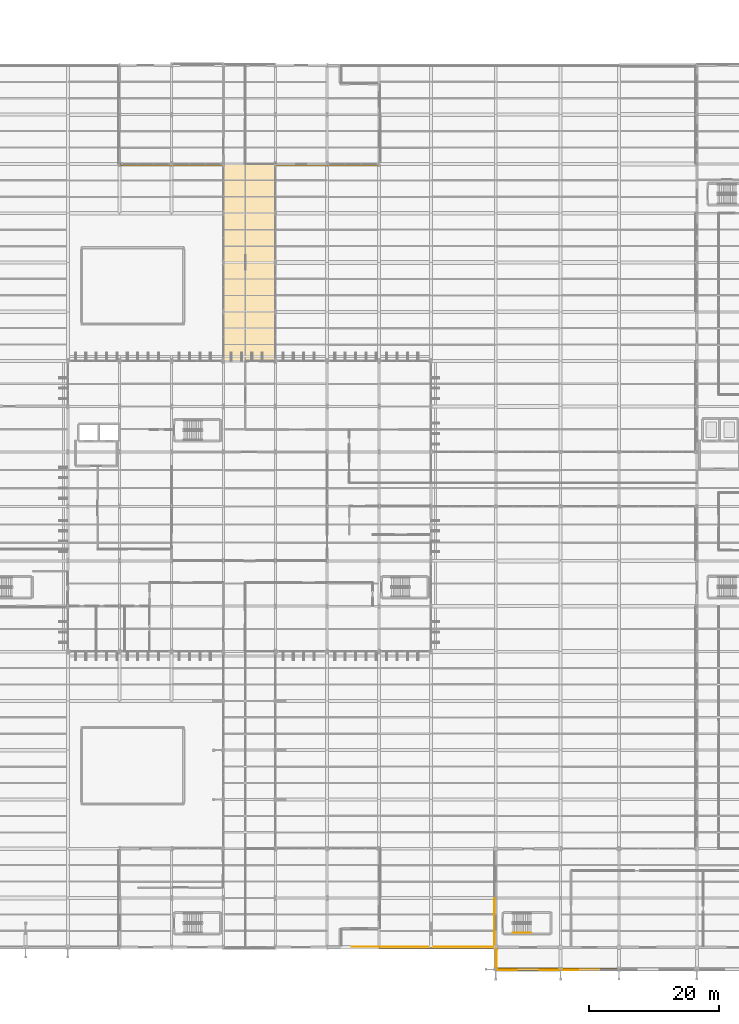
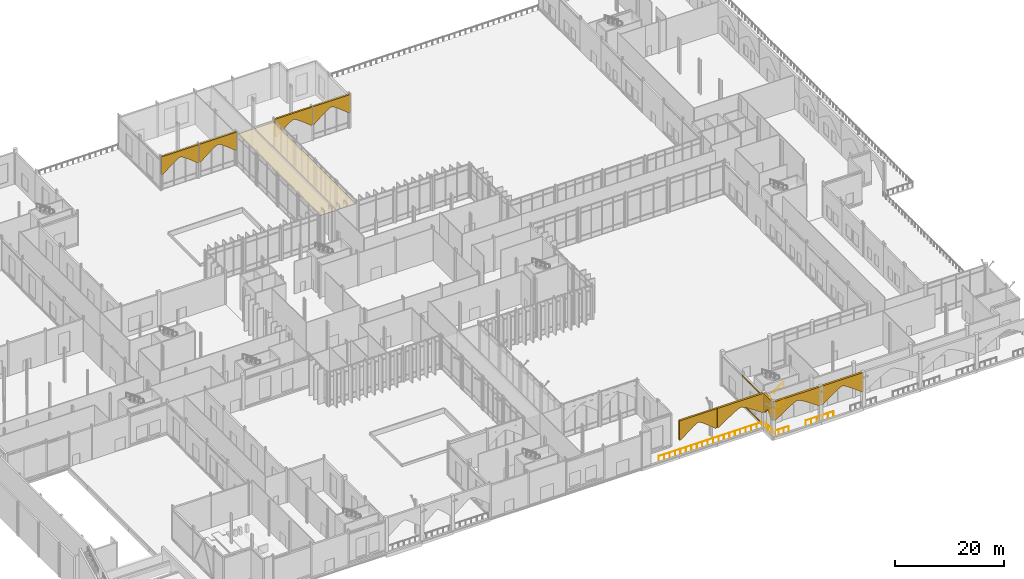
# One storey, part 167 of 176: 12 coverings, 5 railings.
"""IFC4 building model written with IfcOpenShell, lengths in metres."""

import ifcopenshell
import ifcopenshell.guid

model = None  # the IFC model being written
_history = None  # IfcOwnerHistory: only IFC2X3 demands one
_inside = {}  # id of a spatial element -> (the spatial element, [elements in it])
_under = {}  # id of a project, library or spatial element -> (it, [spatial elements below it])
_declared = {}  # id of a project -> (the project, [libraries it declares])
_typed = {}  # id of a type object -> (the type object, [elements of that type])
_made_of = {}  # id of a material, layer set ... -> (it, [elements and type objects made of it])


def new_model(schema):
    """Start an empty IFC model of exactly this schema.

    Asked for "IFC4X3", IfcOpenShell would pick the latest addendum, in which some entities
    have other attributes; the version numbers below select the first issue.
    IFC2X3 requires an IfcOwnerHistory on every rooted entity: one is made here for all.
    """
    global model, _history
    if schema == "IFC4X3":
        model = ifcopenshell.file(schema_version=(4, 3, 0, 0))
    else:
        model = ifcopenshell.file(schema=schema)
    _inside.clear()
    _under.clear()
    _declared.clear()
    _typed.clear()
    _made_of.clear()
    _history = None
    if model.schema == "IFC2X3":
        org = make("IfcOrganization", Name="unknown")
        user = make(
            "IfcPersonAndOrganization",
            ThePerson=make("IfcPerson", FamilyName="unknown"),
            TheOrganization=org,
        )
        app = make(
            "IfcApplication",
            ApplicationDeveloper=org,
            Version="unknown",
            ApplicationFullName="unknown",
            ApplicationIdentifier="unknown",
        )
        _history = make(
            "IfcOwnerHistory",
            OwningUser=user,
            OwningApplication=app,
            ChangeAction="ADDED",
            CreationDate=0,
        )
    return model


def make(cls, **values):
    """One entity of the class cls with the attributes given. An attribute that is None is left unset."""
    return model.create_entity(
        cls, **{name: value for name, value in values.items() if value is not None}
    )


def rooted(cls, **values):
    """An entity with a GlobalId (a new one), such as an element, a storey or a relation."""
    return make(cls, GlobalId=ifcopenshell.guid.new(), OwnerHistory=_history, **values)


def si_unit(unit_type, name, prefix=None):
    """IfcSIUnit, for example si_unit("LENGTHUNIT", "METRE", prefix="MILLI")."""
    return make("IfcSIUnit", UnitType=unit_type, Prefix=prefix, Name=name)


def assignment(units):
    """IfcUnitAssignment: the units of a project."""
    return None if units is None else make("IfcUnitAssignment", Units=units)


def point(xyz):
    """IfcCartesianPoint."""
    return None if xyz is None else make("IfcCartesianPoint", Coordinates=xyz)


def direction(xyz):
    """IfcDirection."""
    return None if xyz is None else make("IfcDirection", DirectionRatios=xyz)


def frame(location, z_axis=None, x_axis=None):
    """IfcAxis2Placement3D, a coordinate frame: its origin and axes. An axis left out is left unset."""
    return make(
        "IfcAxis2Placement3D",
        Location=point(location),
        Axis=direction(z_axis),
        RefDirection=direction(x_axis),
    )


def frame_2d(location, x_axis=None):
    """IfcAxis2Placement2D, a coordinate frame in the plane: its origin and x axis."""
    return make(
        "IfcAxis2Placement2D", Location=point(location), RefDirection=direction(x_axis)
    )


def origin():
    """The frame at (0, 0, 0) with its axes left unset."""
    return frame((0.0, 0.0, 0.0))


def origin_2d():
    """The frame at (0, 0) in the plane with its x axis left unset."""
    return frame_2d((0.0, 0.0))


def place(relative_to, where):
    """IfcLocalPlacement: puts the frame where relative to a parent placement (None: the world)."""
    return make(
        "IfcLocalPlacement", PlacementRelTo=relative_to, RelativePlacement=where
    )


def context(
    kind, dimensions, precision=None, world=None, true_north=None, identifier=None
):
    """IfcGeometricRepresentationContext, for example the 3D "Model" context."""
    return make(
        "IfcGeometricRepresentationContext",
        ContextIdentifier=identifier,
        ContextType=kind,
        CoordinateSpaceDimension=dimensions,
        Precision=precision,
        WorldCoordinateSystem=world,
        TrueNorth=true_north,
    )


def subcontext(parent, identifier, kind, view, scale=None):
    """IfcGeometricRepresentationSubContext, for example "Body" below "Model"."""
    return make(
        "IfcGeometricRepresentationSubContext",
        ContextIdentifier=identifier,
        ContextType=kind,
        ParentContext=parent,
        TargetScale=scale,
        TargetView=view,
    )


def project(units=None, contexts=None):
    """IfcProject with its units and contexts."""
    return rooted(
        "IfcProject",
        Name="project",
        RepresentationContexts=contexts,
        UnitsInContext=assignment(units),
    )


def spatial(cls, under=None, at=None, **own):
    """A site, building, storey or space (cls), placed at a placement, below another one or the project."""
    s = rooted(cls, ObjectPlacement=at, **own)
    if under is not None:
        _under.setdefault(under.id(), (under, []))[1].append(s)
    return s


def polyline(points):
    """IfcPolyline through the points."""
    return make("IfcPolyline", Points=[point(p) for p in points])


def profile(cls, at=None, kind="AREA", **sizes):
    """A parametric profile (cls). Its sizes go by their IFC names, for example OverallWidth=200.0."""
    return make(cls, ProfileType=kind, Position=at, **sizes)


def rectangle(**sizes):
    """IfcRectangleProfileDef."""
    return profile("IfcRectangleProfileDef", **sizes)


def circle(**sizes):
    """IfcCircleProfileDef."""
    return profile("IfcCircleProfileDef", **sizes)


def outline(outer, holes=None, kind="AREA"):
    """IfcArbitraryClosedProfileDef: a profile drawn as a closed curve; with holes, ...WithVoids."""
    if holes is None:
        return make("IfcArbitraryClosedProfileDef", ProfileType=kind, OuterCurve=outer)
    return make(
        "IfcArbitraryProfileDefWithVoids",
        ProfileType=kind,
        OuterCurve=outer,
        InnerCurves=holes,
    )


def extrude(swept, where, along, depth):
    """IfcExtrudedAreaSolid: the profile swept, set in the frame where, extruded along a direction by depth."""
    return make(
        "IfcExtrudedAreaSolid",
        SweptArea=swept,
        Position=where,
        ExtrudedDirection=direction(along),
        Depth=depth,
    )


def shape(context_of_items, identifier, shape_type, items):
    """IfcShapeRepresentation: the items that make up one representation, for example the "Body"."""
    return make(
        "IfcShapeRepresentation",
        ContextOfItems=context_of_items,
        RepresentationIdentifier=identifier,
        RepresentationType=shape_type,
        Items=items,
    )


def material(Name=None, Category=None):
    """IfcMaterial."""
    return make("IfcMaterial", Name=Name, Category=Category)


def layer(
    of_material, thickness, ventilated=None, Name=None, Category=None, Priority=None
):
    """IfcMaterialLayer: one layer of a wall or slab, of a material (None: an air gap)."""
    return make(
        "IfcMaterialLayer",
        Material=of_material,
        LayerThickness=thickness,
        IsVentilated=ventilated,
        Name=Name,
        Category=Category,
        Priority=Priority,
    )


def layer_set(layers, Name=None):
    """IfcMaterialLayerSet."""
    return make("IfcMaterialLayerSet", MaterialLayers=layers, LayerSetName=Name)


def made_of(thing, what):
    """Note that an element or type object is made of a material, layer set ...; save() writes the relation."""
    if what is not None:
        _made_of.setdefault(what.id(), (what, []))[1].append(thing)
    return thing


def type_object(cls, material=None, **own):
    """A type object (cls), such as IfcWallType, which elements share."""
    return made_of(rooted(cls, **own), material)


def element(
    cls,
    number,
    at=None,
    inside=None,
    cuts=None,
    type_object=None,
    material=None,
    context=None,
    identifier="Body",
    shape_type=None,
    held_by="IfcProductDefinitionShape",
    body=None,
    shapes=None,
    **own,
):
    """One element of the class cls, such as IfcWall. Its Tag is "e" and its number.

    at: its placement. inside: the storey or other place that contains it. cuts: it is an
    opening in that element (IfcRelVoidsElement). A single representation is given by context,
    identifier, shape_type and body (its items); several are given by shapes. held_by: the class
    of the entity that holds the representations. save() writes the other relations.
    """
    e = rooted(cls, Tag="e%d" % number, ObjectPlacement=at, **own)
    if body is not None:
        shapes = [shape(context, identifier, shape_type, body)]
    if shapes is not None:
        e.Representation = make(held_by, Representations=shapes)
    if inside is not None:
        _inside.setdefault(inside.id(), (inside, []))[1].append(e)
    if cuts is not None:
        rooted(
            "IfcRelVoidsElement", RelatingBuildingElement=cuts, RelatedOpeningElement=e
        )
    if type_object is not None:
        _typed.setdefault(type_object.id(), (type_object, []))[1].append(e)
    return made_of(e, material)


def aggregate(whole, parts):
    """IfcRelAggregates: a whole, such as a stair, and the parts it consists of."""
    return rooted("IfcRelAggregates", RelatingObject=whole, RelatedObjects=parts)


def save(model, path):
    """Write the relations noted so far, then the file.

    IfcRelAggregates (storeys below a building ...), IfcRelContainedInSpatialStructure (elements
    in a storey), IfcRelDefinesByType, IfcRelAssociatesMaterial and IfcRelDeclares: one each for
    every whole, place, type object, material and project.
    """
    for whole, parts in _under.values():
        aggregate(whole, parts)
    for where, things in _inside.values():
        rooted(
            "IfcRelContainedInSpatialStructure",
            RelatedElements=things,
            RelatingStructure=where,
        )
    for kind, things in _typed.values():
        rooted("IfcRelDefinesByType", RelatedObjects=things, RelatingType=kind)
    for what, things in _made_of.values():
        rooted("IfcRelAssociatesMaterial", RelatedObjects=things, RelatingMaterial=what)
    for by, libraries in _declared.values():
        rooted("IfcRelDeclares", RelatingContext=by, RelatedDefinitions=libraries)
    model.write(path)


model = new_model("IFC4")

# Units and contexts
model_context = context("Model", 3, precision=1e-05, world=origin(), true_north=direction((0.0, 1.0)))
body_context = subcontext(model_context, "Body", "Model", "MODEL_VIEW")
ifc_project = project(units=[si_unit("LENGTHUNIT", "METRE"), si_unit("AREAUNIT", "SQUARE_METRE"), si_unit("VOLUMEUNIT", "CUBIC_METRE"), si_unit("PLANEANGLEUNIT", "RADIAN"), si_unit("MASSUNIT", "GRAM", prefix="KILO")], contexts=[model_context])

# Site, building, storey
site_placement = place(None, origin())
site = spatial("IfcSite", under=ifc_project, at=site_placement, CompositionType="ELEMENT")
building_placement = place(site_placement, origin())
building = spatial("IfcBuilding", under=site, at=building_placement, Name="Vekula Escarpment Museum", CompositionType="ELEMENT")
storey_placement = place(building_placement, origin())
storey = spatial("IfcBuildingStorey", under=building, at=storey_placement, Name="L01", CompositionType="ELEMENT", Elevation=0.0)

# Coverings
ifc_material_1 = material(Name="Polychrome limestone almasik string-course band", Category="masonry")
ifc_layer_1 = layer(ifc_material_1, 0.06005859375)
ifc_layer_set_1 = layer_set([ifc_layer_1], Name="Polychrome limestone almasik string-course band")
covering_type_1 = type_object("IfcCoveringType", Name="COV-ALM-BAND", PredefinedType="CLADDING", material=ifc_layer_set_1)
for number, where, z_axis, x_axis, name in (
    (1, (135.799072265625, 3.800048828125, 0.41015625), (0.0, 0.0, 1.0), (0.0, 1.0, 0.0), "Almasik Stone String Course L01-0019"),
    (2, (135.799072265625, 3.800048828125, 6.69482421875), (0.0, 0.0, 1.0), (0.0, 1.0, 0.0), "Almasik Stone String Course L01-0020"),
):
    element("IfcCovering", number, at=place(storey_placement, frame(where, z_axis=z_axis, x_axis=x_axis)), inside=storey, type_object=covering_type_1, Name=name, PredefinedType="CLADDING", context=body_context, shape_type="SweptSolid", body=[
        extrude(rectangle(XDim=7.47998046875, YDim=0.06005859375, at=origin_2d()), origin(), (0.0, 0.0, 1.0), 0.219970703125),
    ])
ifc_material_2 = material(Name="Mineral-fibre museum baffle ceiling", Category="gypsum")
ifc_layer_2 = layer(ifc_material_2, 0.070068359375)
ifc_layer_set_2 = layer_set([ifc_layer_2], Name="Mineral-fibre museum baffle ceiling")
covering_type_2 = type_object("IfcCoveringType", Name="COV-CEIL-BAFF", PredefinedType="CEILING", material=ifc_layer_set_2)
covering_1_placement = place(storey_placement, frame((0.0, 0.0, 6.85009765625)))
element("IfcCovering", 3, at=covering_1_placement, inside=storey, type_object=covering_type_2, Name="Acoustic Gallery Ceiling L01-003", PredefinedType="CEILING", context=body_context, shape_type="SweptSolid", body=[
    extrude(outline(polyline([(94.10009765625, 90.5), (101.89990234375, 90.5), (101.89990234375, 120.699951171875), (94.10009765625, 120.699951171875), (94.10009765625, 90.5)])), origin(), (0.0, 0.0, 1.0), 0.0498046875),
])
ifc_material_3 = material(Name="Carved limestone revak pointed-arch cladding", Category="masonry")
ifc_layer_3 = layer(ifc_material_3, 0.3798828125)
ifc_layer_set_3 = layer_set([ifc_layer_3], Name="Carved limestone revak pointed-arch cladding")
covering_type_3 = type_object("IfcCoveringType", Name="COV-REVAK-ARCH", PredefinedType="CLADDING", material=ifc_layer_set_3)
covering_2_placement = place(storey_placement, frame((141.0, -3.18994140625, 3.39990234375), z_axis=(0.0, -1.0, 0.0), x_axis=(1.0, 0.0, 0.0)))
element("IfcCovering", 4, at=covering_2_placement, inside=storey, type_object=covering_type_3, Name="Ottoman Pointed-Arch Revak Spandrel S-PORT-1", PredefinedType="CLADDING", context=body_context, shape_type="SweptSolid", body=[
    extrude(outline(polyline([(-4.97998046875, 4.219970703125), (4.97998046875, 4.219970703125), (4.97998046875, 0.0), (4.639892578125, 0.0), (3.72802734375, 0.63427734375), (2.85009765625, 1.236572265625), (2.03857421875, 1.77685546875), (1.323486328125, 2.228271484375), (0.731689453125, 2.56787109375), (0.28515625, 2.778564453125), (0.0, 2.85009765625), (-0.28515625, 2.778564453125), (-0.731689453125, 2.56787109375), (-1.323486328125, 2.228271484375), (-2.03857421875, 1.77685546875), (-2.85009765625, 1.236572265625), (-3.72802734375, 0.63427734375), (-4.639892578125, 0.0), (-4.97998046875, 0.0), (-4.97998046875, 4.219970703125)])), origin(), (0.0, 0.0, 1.0), 0.420166015625),
])
covering_3_placement = place(storey_placement, frame((150.5, -3.18994140625, 3.39990234375), z_axis=(0.0, -1.0, 0.0), x_axis=(1.0, 0.0, 0.0)))
element("IfcCovering", 5, at=covering_3_placement, inside=storey, type_object=covering_type_3, Name="Ottoman Pointed-Arch Revak Spandrel S-PORT-2", PredefinedType="CLADDING", context=body_context, shape_type="SweptSolid", body=[
    extrude(outline(polyline([(-4.47998046875, 4.219970703125), (4.47998046875, 4.219970703125), (4.47998046875, 0.0), (4.139892578125, 0.0), (3.326416015625, 0.61181640625), (2.54296875, 1.193115234375), (1.81884765625, 1.714599609375), (1.180908203125, 2.14990234375), (0.65283203125, 2.477783203125), (0.25439453125, 2.68115234375), (0.0, 2.75), (-0.25439453125, 2.68115234375), (-0.65283203125, 2.477783203125), (-1.180908203125, 2.14990234375), (-1.81884765625, 1.714599609375), (-2.54296875, 1.193115234375), (-3.326416015625, 0.61181640625), (-4.139892578125, 0.0), (-4.47998046875, 0.0), (-4.47998046875, 4.219970703125)])), origin(), (0.0, 0.0, 1.0), 0.420166015625),
])
covering_4_placement = place(storey_placement, frame((135.7900390625, -1.72509765625, 3.39990234375), z_axis=(1.0, 0.0, 0.0), x_axis=(0.0, 1.0, 0.0)))
element("IfcCovering", 6, at=covering_4_placement, inside=storey, type_object=covering_type_3, Name="Ottoman Pointed-Arch Revak Spandrel S-PORT-W", PredefinedType="CLADDING", context=body_context, shape_type="SweptSolid", body=[
    extrude(outline(polyline([(-1.655029296875, 4.219970703125), (1.655029296875, 4.219970703125), (1.655029296875, 0.0), (1.31494140625, 0.0), (1.056640625, 0.32275390625), (0.8076171875, 0.629150390625), (0.57763671875, 0.904052734375), (0.375, 1.1337890625), (0.20751953125, 1.306396484375), (0.080810546875, 1.41357421875), (0.0, 1.449951171875), (-0.080810546875, 1.41357421875), (-0.20751953125, 1.306396484375), (-0.375, 1.1337890625), (-0.57763671875, 0.904052734375), (-0.8076171875, 0.629150390625), (-1.056640625, 0.32275390625), (-1.31494140625, 0.0), (-1.655029296875, 0.0), (-1.655029296875, 4.219970703125)])), origin(), (0.0, 0.0, 1.0), 0.419921875),
])
covering_5_placement = place(storey_placement, frame((122.0, 0.199951171875, 3.300048828125), z_axis=(0.0, -1.0, 0.0), x_axis=(1.0, 0.0, 0.0)))
element("IfcCovering", 7, at=covering_5_placement, inside=storey, type_object=covering_type_3, Name="Ottoman Pointed-Arch Revak Spandrel S-FORE-4", PredefinedType="CLADDING", context=body_context, shape_type="SweptSolid", body=[
    extrude(outline(polyline([(-3.97998046875, 4.320068359375), (3.97998046875, 4.320068359375), (3.97998046875, 0.0), (3.639892578125, 0.0), (2.9248046875, 0.589599609375), (2.23583984375, 1.14990234375), (1.59912109375, 1.652099609375), (1.038330078125, 2.072021484375), (0.57421875, 2.3876953125), (0.2236328125, 2.58349609375), (0.0, 2.64990234375), (-0.2236328125, 2.58349609375), (-0.57421875, 2.3876953125), (-1.038330078125, 2.072021484375), (-1.59912109375, 1.652099609375), (-2.23583984375, 1.14990234375), (-2.9248046875, 0.589599609375), (-3.639892578125, 0.0), (-3.97998046875, 0.0), (-3.97998046875, 4.320068359375)])), origin(), (0.0, 0.0, 1.0), 0.39990234375),
])
covering_6_placement = place(storey_placement, frame((131.0, 0.199951171875, 3.300048828125), z_axis=(0.0, -1.0, 0.0), x_axis=(1.0, 0.0, 0.0)))
element("IfcCovering", 8, at=covering_6_placement, inside=storey, type_object=covering_type_3, Name="Ottoman Pointed-Arch Revak Spandrel S-FORE-5", PredefinedType="CLADDING", context=body_context, shape_type="SweptSolid", body=[
    extrude(outline(polyline([(-4.97998046875, 4.320068359375), (4.97998046875, 4.320068359375), (4.97998046875, 0.0), (4.639892578125, 0.0), (3.72802734375, 0.63427734375), (2.85009765625, 1.236572265625), (2.03857421875, 1.77685546875), (1.323486328125, 2.228271484375), (0.731689453125, 2.56787109375), (0.28515625, 2.778564453125), (0.0, 2.85009765625), (-0.28515625, 2.778564453125), (-0.731689453125, 2.56787109375), (-1.323486328125, 2.228271484375), (-2.03857421875, 1.77685546875), (-2.85009765625, 1.236572265625), (-3.72802734375, 0.63427734375), (-4.639892578125, 0.0), (-4.97998046875, 0.0), (-4.97998046875, 4.320068359375)])), origin(), (0.0, 0.0, 1.0), 0.39990234375),
])
for number, where, z_axis, x_axis, name in (
    (9, (82.0, 120.860107421875, 3.550048828125), (0.0, -1.0, 0.0), (1.0, 0.0, 0.0), "Ottoman Pointed-Arch Revak Spandrel AVLU-N-1"),
    (10, (90.0, 120.860107421875, 3.550048828125), (0.0, -1.0, 0.0), (1.0, 0.0, 0.0), "Ottoman Pointed-Arch Revak Spandrel AVLU-N-2"),
    (11, (106.0, 120.860107421875, 3.550048828125), (0.0, -1.0, 0.0), (1.0, 0.0, 0.0), "Ottoman Pointed-Arch Revak Spandrel AVLU-N-3"),
    (12, (114.0, 120.860107421875, 3.550048828125), (0.0, -1.0, 0.0), (1.0, 0.0, 0.0), "Ottoman Pointed-Arch Revak Spandrel AVLU-N-4"),
):
    element("IfcCovering", number, at=place(storey_placement, frame(where, z_axis=z_axis, x_axis=x_axis)), inside=storey, type_object=covering_type_3, Name=name, PredefinedType="CLADDING", context=body_context, shape_type="SweptSolid", body=[
        extrude(outline(polyline([(-3.97998046875, 4.0), (3.97998046875, 4.0), (3.97998046875, 0.0), (3.639892578125, 0.0), (2.9248046875, 0.57861328125), (2.23583984375, 1.128173828125), (1.59912109375, 1.62109375), (1.038330078125, 2.03271484375), (0.57421875, 2.342529296875), (0.2236328125, 2.534912109375), (0.0, 2.60009765625), (-0.2236328125, 2.534912109375), (-0.57421875, 2.342529296875), (-1.038330078125, 2.03271484375), (-1.59912109375, 1.62109375), (-2.23583984375, 1.128173828125), (-2.9248046875, 0.57861328125), (-3.639892578125, 0.0), (-3.97998046875, 0.0), (-3.97998046875, 4.0)])), origin(), (0.0, 0.0, 1.0), 0.360107421875),
    ])

# Railings
ifc_material_4 = material(Name="Brushed stainless steel handrail", Category="steel")
railing_type_1 = type_object("IfcRailingType", Name="RL-STAIR-HAND", PredefinedType="HANDRAIL", material=ifc_material_4)
for number, where, name in (
    (13, (138.6201171875, 2.25, 0.17724609375), "L01 ST-06 stair handrail 1"),
    (14, (138.6201171875, 2.25, 4.077392578125), "L01 ST-06 stair handrail 3"),
):
    element("IfcRailing", number, at=place(storey_placement, frame(where)), inside=storey, type_object=railing_type_1, Name=name, PredefinedType="HANDRAIL", context=body_context, shape_type="SweptSolid", body=[
        extrude(circle(Radius=0.02392578125, at=origin_2d()), frame((0.0, 0.0, 0.8759765625), z_axis=(0.844887892834, 0.0, 0.53494340686), x_axis=(0.0, 1.0, 0.0)), (0.0, 0.0, 1.0), 3.313720703125),
        extrude(circle(Radius=0.02099609375, at=origin_2d()), origin(), (0.0, 0.0, 1.0), 0.851806640625),
        extrude(circle(Radius=0.02099609375, at=origin_2d()), frame((0.933349609375, 0.0, 0.5908203125)), (0.0, 0.0, 1.0), 0.851806640625),
        extrude(circle(Radius=0.02099609375, at=origin_2d()), frame((1.866455078125, 0.0, 1.181884765625)), (0.0, 0.0, 1.0), 0.851806640625),
        extrude(circle(Radius=0.02099609375, at=origin_2d()), frame((2.7998046875, 0.0, 1.772705078125)), (0.0, 0.0, 1.0), 0.851806640625),
    ])
ifc_material_5 = material(Name="Bronze-coated Steel S355 balustrade", Category="steel")
railing_type_2 = type_object("IfcRailingType", Name="RL-TER-GUARD", PredefinedType="GUARDRAIL", material=ifc_material_5)
railing_1_placement = place(storey_placement, frame((135.6650390625, 0.090087890625, 0.0)))
element("IfcRailing", 15, at=railing_1_placement, inside=storey, type_object=railing_type_2, Name="Terrace Balustrade L01-007", PredefinedType="GUARDRAIL", context=body_context, shape_type="SweptSolid", body=[
    extrude(circle(Radius=0.02392578125, at=origin_2d()), frame((0.0, 0.0, 1.076171875), z_axis=(-1.0, 0.0, 0.0), x_axis=(0.0, -1.0, 0.0)), (0.0, 0.0, 1.0), 21.864990234375),
    extrude(circle(Radius=0.02099609375, at=origin_2d()), origin(), (0.0, 0.0, 1.0), 1.052001953125),
    extrude(circle(Radius=0.02099609375, at=origin_2d()), frame((-1.15087890625, 0.0, 0.0)), (0.0, 0.0, 1.0), 1.052001953125),
    extrude(circle(Radius=0.02099609375, at=origin_2d()), frame((-2.301513671875, 0.0, 0.0)), (0.0, 0.0, 1.0), 1.052001953125),
    extrude(circle(Radius=0.02099609375, at=origin_2d()), frame((-3.452392578125, 0.0, 0.0)), (0.0, 0.0, 1.0), 1.052001953125),
    extrude(circle(Radius=0.02099609375, at=origin_2d()), frame((-4.603271484375, 0.0, 0.0)), (0.0, 0.0, 1.0), 1.052001953125),
    extrude(circle(Radius=0.02099609375, at=origin_2d()), frame((-5.75390625, 0.0, 0.0)), (0.0, 0.0, 1.0), 1.052001953125),
    extrude(circle(Radius=0.02099609375, at=origin_2d()), frame((-6.90478515625, 0.0, 0.0)), (0.0, 0.0, 1.0), 1.052001953125),
    extrude(circle(Radius=0.02099609375, at=origin_2d()), frame((-8.055419921875, 0.0, 0.0)), (0.0, 0.0, 1.0), 1.052001953125),
    extrude(circle(Radius=0.02099609375, at=origin_2d()), frame((-9.206298828125, 0.0, 0.0)), (0.0, 0.0, 1.0), 1.052001953125),
    extrude(circle(Radius=0.02099609375, at=origin_2d()), frame((-10.357177734375, 0.0, 0.0)), (0.0, 0.0, 1.0), 1.052001953125),
    extrude(circle(Radius=0.02099609375, at=origin_2d()), frame((-11.5078125, 0.0, 0.0)), (0.0, 0.0, 1.0), 1.052001953125),
    extrude(circle(Radius=0.02099609375, at=origin_2d()), frame((-12.65869140625, 0.0, 0.0)), (0.0, 0.0, 1.0), 1.052001953125),
    extrude(circle(Radius=0.02099609375, at=origin_2d()), frame((-13.8095703125, 0.0, 0.0)), (0.0, 0.0, 1.0), 1.052001953125),
    extrude(circle(Radius=0.02099609375, at=origin_2d()), frame((-14.960205078125, 0.0, 0.0)), (0.0, 0.0, 1.0), 1.052001953125),
    extrude(circle(Radius=0.02099609375, at=origin_2d()), frame((-16.111083984375, 0.0, 0.0)), (0.0, 0.0, 1.0), 1.052001953125),
    extrude(circle(Radius=0.02099609375, at=origin_2d()), frame((-17.26171875, 0.0, 0.0)), (0.0, 0.0, 1.0), 1.052001953125),
    extrude(circle(Radius=0.02099609375, at=origin_2d()), frame((-18.41259765625, 0.0, 0.0)), (0.0, 0.0, 1.0), 1.052001953125),
    extrude(circle(Radius=0.02099609375, at=origin_2d()), frame((-19.5634765625, 0.0, 0.0)), (0.0, 0.0, 1.0), 1.052001953125),
    extrude(circle(Radius=0.02099609375, at=origin_2d()), frame((-20.714111328125, 0.0, 0.0)), (0.0, 0.0, 1.0), 1.052001953125),
    extrude(circle(Radius=0.02099609375, at=origin_2d()), frame((-21.864990234375, 0.0, 0.0)), (0.0, 0.0, 1.0), 1.052001953125),
])
railing_2_placement = place(storey_placement, frame((148.699951171875, -3.510009765625, 0.0)))
element("IfcRailing", 16, at=railing_2_placement, inside=storey, type_object=railing_type_2, Name="Terrace Balustrade L01-014", PredefinedType="GUARDRAIL", context=body_context, shape_type="SweptSolid", body=[
    extrude(circle(Radius=0.02392578125, at=origin_2d()), frame((0.0, 0.0, 1.076171875), z_axis=(-1.0, 0.0, 0.0), x_axis=(0.0, -1.0, 0.0)), (0.0, 0.0, 1.0), 5.89990234375),
    extrude(circle(Radius=0.02099609375, at=origin_2d()), origin(), (0.0, 0.0, 1.0), 1.052001953125),
    extrude(circle(Radius=0.02099609375, at=origin_2d()), frame((-1.179931640625, 0.0, 0.0)), (0.0, 0.0, 1.0), 1.052001953125),
    extrude(circle(Radius=0.02099609375, at=origin_2d()), frame((-2.35986328125, 0.0, 0.0)), (0.0, 0.0, 1.0), 1.052001953125),
    extrude(circle(Radius=0.02099609375, at=origin_2d()), frame((-3.5400390625, 0.0, 0.0)), (0.0, 0.0, 1.0), 1.052001953125),
    extrude(circle(Radius=0.02099609375, at=origin_2d()), frame((-4.719970703125, 0.0, 0.0)), (0.0, 0.0, 1.0), 1.052001953125),
    extrude(circle(Radius=0.02099609375, at=origin_2d()), frame((-5.89990234375, 0.0, 0.0)), (0.0, 0.0, 1.0), 1.052001953125),
])
railing_3_placement = place(storey_placement, frame((139.199951171875, -3.510009765625, 0.0)))
element("IfcRailing", 17, at=railing_3_placement, inside=storey, type_object=railing_type_2, Name="Terrace Balustrade L01-015", PredefinedType="GUARDRAIL", context=body_context, shape_type="SweptSolid", body=[
    extrude(circle(Radius=0.02392578125, at=origin_2d()), frame((0.0, 0.0, 1.076171875), z_axis=(-1.0, 0.0, 0.0), x_axis=(0.0, -1.0, 0.0)), (0.0, 0.0, 1.0), 3.10986328125),
    extrude(circle(Radius=0.02392578125, at=origin_2d()), frame((-3.10986328125, 0.0, 1.076171875), z_axis=(0.0, 1.0, 0.0), x_axis=(-1.0, 0.0, 0.0)), (0.0, 0.0, 1.0), 3.22998046875),
    extrude(circle(Radius=0.02099609375, at=origin_2d()), origin(), (0.0, 0.0, 1.0), 1.052001953125),
    extrude(circle(Radius=0.02099609375, at=origin_2d()), frame((-1.03662109375, 0.0, 0.0)), (0.0, 0.0, 1.0), 1.052001953125),
    extrude(circle(Radius=0.02099609375, at=origin_2d()), frame((-2.0732421875, 0.0, 0.0)), (0.0, 0.0, 1.0), 1.052001953125),
    extrude(circle(Radius=0.02099609375, at=origin_2d()), frame((-3.10986328125, 0.0, 0.0)), (0.0, 0.0, 1.0), 1.052001953125),
    extrude(circle(Radius=0.02099609375, at=origin_2d()), frame((-3.10986328125, 1.07666015625, 0.0)), (0.0, 0.0, 1.0), 1.052001953125),
    extrude(circle(Radius=0.02099609375, at=origin_2d()), frame((-3.10986328125, 2.1533203125, 0.0)), (0.0, 0.0, 1.0), 1.052001953125),
    extrude(circle(Radius=0.02099609375, at=origin_2d()), frame((-3.10986328125, 3.22998046875, 0.0)), (0.0, 0.0, 1.0), 1.052001953125),
])

save(model, "model.ifc")
